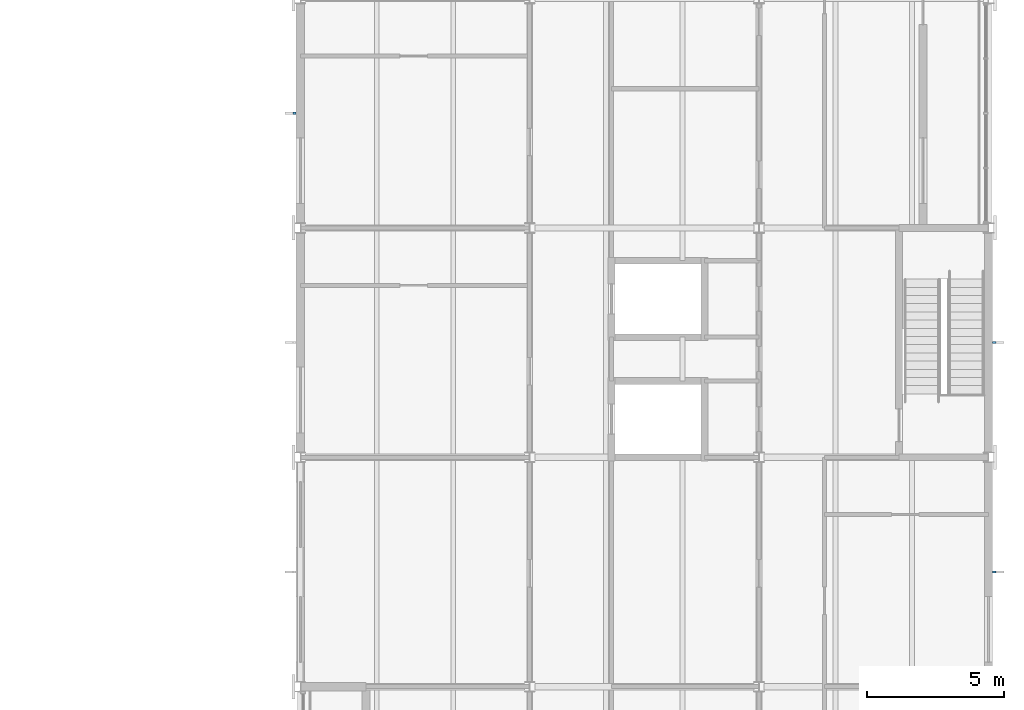
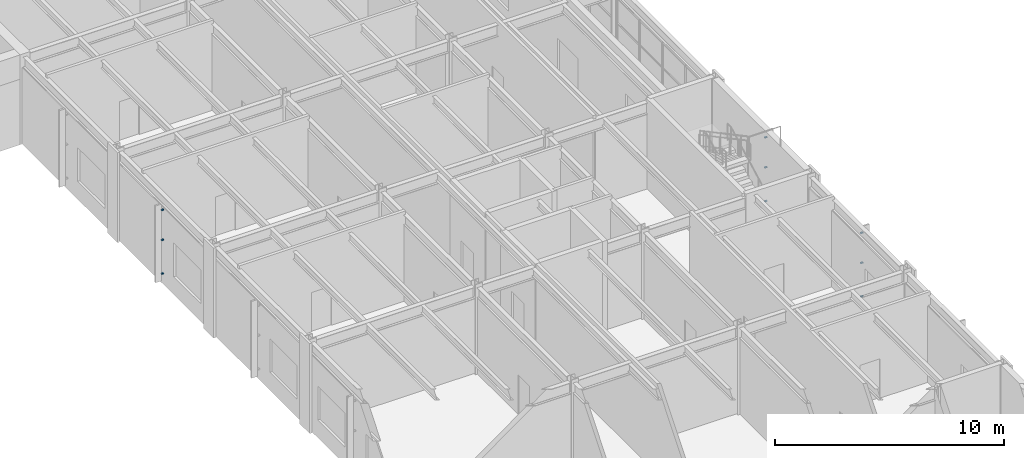
# One storey, part 94 of 127: 9 discrete accessories.
"""IFC4 building model written with IfcOpenShell, lengths in metres."""

from ifc_helpers import new_model, si_unit, direction, frame, origin, origin_2d, place, context, subcontext, project, spatial, rectangle, extrude, material, type_object, element, save


model = new_model("IFC4")

# Units and contexts
model_context = context("Model", 3, precision=1e-05, world=origin(), true_north=direction((0.0, 1.0)))
body_context = subcontext(model_context, "Body", "Model", "MODEL_VIEW")
ifc_project = project(units=[si_unit("LENGTHUNIT", "METRE"), si_unit("AREAUNIT", "SQUARE_METRE"), si_unit("VOLUMEUNIT", "CUBIC_METRE"), si_unit("PLANEANGLEUNIT", "RADIAN"), si_unit("MASSUNIT", "GRAM", prefix="KILO")], contexts=[model_context])

# Site, building, storey
site_placement = place(None, origin())
site = spatial("IfcSite", under=ifc_project, at=site_placement, CompositionType="ELEMENT")
building_placement = place(site_placement, origin())
building = spatial("IfcBuilding", under=site, at=building_placement, Name="Ljudholm Concert House", CompositionType="ELEMENT")
storey_placement = place(building_placement, frame((0.0, 0.0, 5.39990234375)))
storey = spatial("IfcBuildingStorey", under=building, at=storey_placement, Name="L01", CompositionType="ELEMENT", Elevation=5.39990234375)

# Discrete accessories
ifc_material = material(Name="Stainless steel bracket", Category="steel")
discrete_accessory_type = type_object("IfcDiscreteAccessoryType", Name="BRACKET 120", PredefinedType="BRACKET", material=ifc_material)
for number, where, z_axis, x_axis, name in (
    (1, (121.81005859375, 25.0, 0.570068359375), (0.0, 0.0, 1.0), (1.0, 0.0, 0.0), "Fin bracket"),
    (2, (121.81005859375, 25.0, 2.3701171875), (0.0, 0.0, 1.0), (1.0, 0.0, 0.0), "Fin bracket"),
    (3, (121.81005859375, 25.0, 3.969970703125), (0.0, 0.0, 1.0), (1.0, 0.0, 0.0), "Fin bracket"),
    (4, (121.81005859375, 33.39990234375, 0.570068359375), (0.0, 0.0, 1.0), (1.0, 0.0, 0.0), "Fin bracket"),
    (5, (121.81005859375, 33.39990234375, 2.3701171875), (0.0, 0.0, 1.0), (1.0, 0.0, 0.0), "Fin bracket"),
    (6, (121.81005859375, 33.39990234375, 3.969970703125), (0.0, 0.0, 1.0), (1.0, 0.0, 0.0), "Fin bracket"),
    (7, (96.18994140625, 41.800048828125, 0.570068359375), (0.0, 0.0, 1.0), (-1.0, 0.0, 0.0), "Fin bracket"),
    (8, (96.18994140625, 41.800048828125, 2.3701171875), (0.0, 0.0, 1.0), (-1.0, 0.0, 0.0), "Fin bracket"),
    (9, (96.18994140625, 41.800048828125, 3.969970703125), (0.0, 0.0, 1.0), (-1.0, 0.0, 0.0), "Fin bracket"),
):
    element("IfcDiscreteAccessory", number, at=place(storey_placement, frame(where, z_axis=z_axis, x_axis=x_axis)), inside=storey, type_object=discrete_accessory_type, Name=name, PredefinedType="BRACKET", context=body_context, shape_type="SweptSolid", body=[
        extrude(rectangle(XDim=0.1201171875, YDim=0.080078125, at=origin_2d()), origin(), (0.0, 0.0, 1.0), 0.06005859375),
    ])

save(model, "model.ifc")
